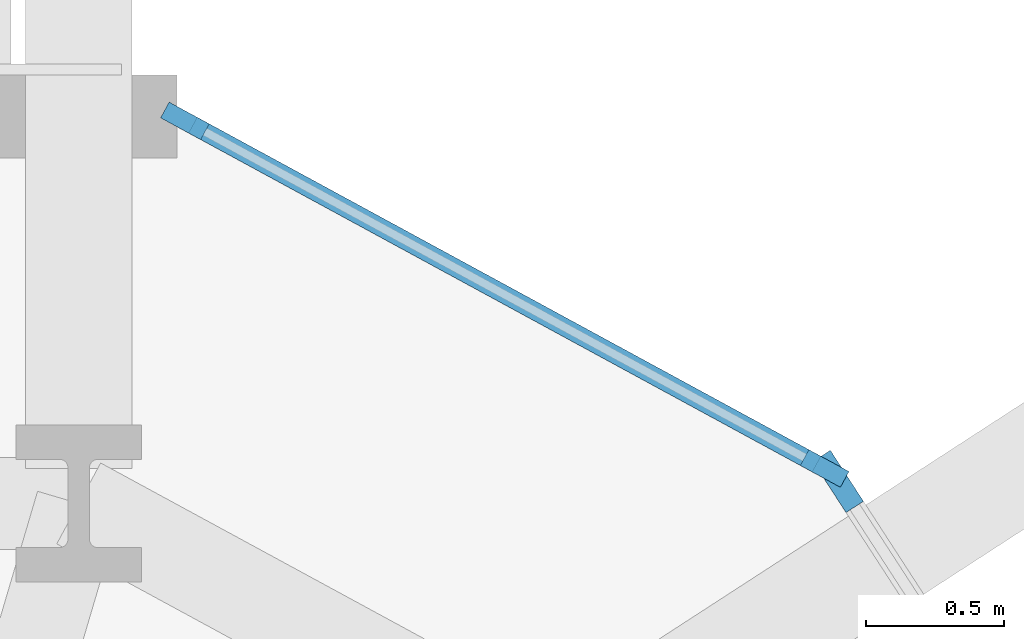
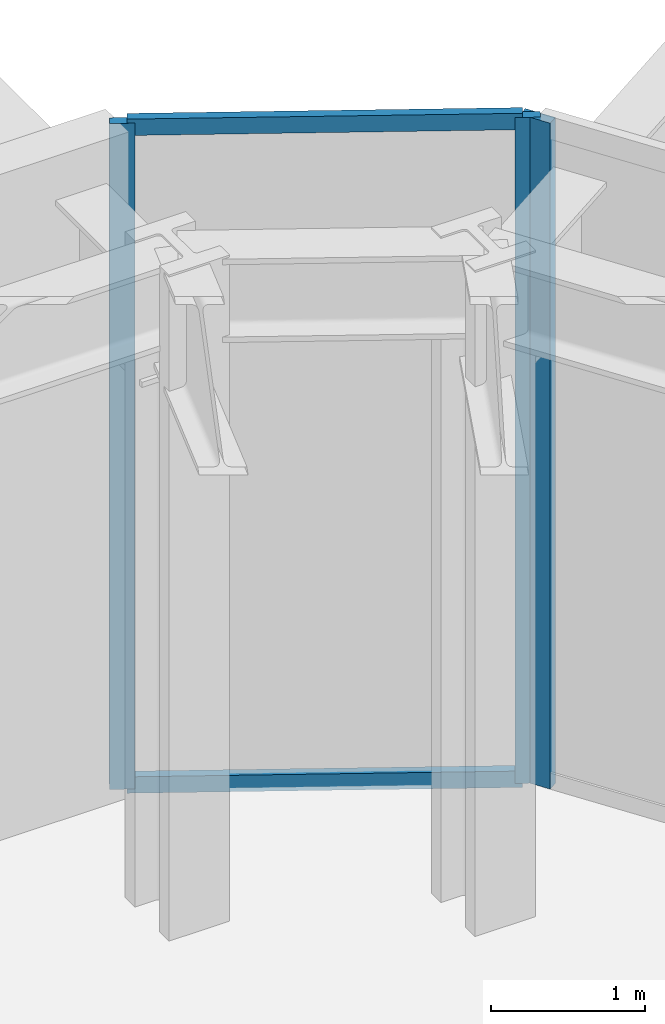
# One storey, part 11 of 23: 5 members, 2 elements without a shape of their own.
"""IFC4 building model written with IfcOpenShell, lengths in metres."""

from ifc_helpers import new_model, si_unit, direction, frame, origin, origin_2d, place, context, subcontext, project, spatial, rectangle, extrude, source, transform, mapped, material, layer, layer_set, material_profile, profile_set, type_object, type_shapes, element, aggregate, save


model = new_model("IFC4")

# Units and contexts
model_context = context("Model", 3, precision=1e-05, world=origin(), true_north=direction((0.0, 1.0)))
body_context = subcontext(model_context, "Body", "Model", "MODEL_VIEW")
ifc_project = project(units=[si_unit("LENGTHUNIT", "METRE"), si_unit("AREAUNIT", "SQUARE_METRE"), si_unit("VOLUMEUNIT", "CUBIC_METRE"), si_unit("PLANEANGLEUNIT", "RADIAN"), si_unit("MASSUNIT", "GRAM", prefix="KILO")], contexts=[model_context])

# Site, building, storey
site_placement = place(None, origin())
site = spatial("IfcSite", under=ifc_project, at=site_placement, CompositionType="ELEMENT")
building_placement = place(site_placement, origin())
building = spatial("IfcBuilding", under=site, at=building_placement, Name="Durnholm Broadcast Tower", CompositionType="ELEMENT")
storey_placement = place(building_placement, frame((0.0, 0.0, 21.199951171875)))
storey = spatial("IfcBuildingStorey", under=building, at=storey_placement, Name="L04", CompositionType="ELEMENT", Elevation=21.199951171875)

# Curtain wall, members
ifc_material_1 = material(Name="Aluminium and Solar Control IGU", Category="aluminium")
ifc_layer_1 = layer(ifc_material_1, 0.1650390625)
ifc_layer_set_1 = layer_set([ifc_layer_1], Name="Aluminium and Solar Control IGU")
curtain_wall_type_1 = type_object("IfcCurtainWallType", Name="CW-SYS-5", PredefinedType="NOTDEFINED", material=ifc_layer_set_1)
curtain_wall_1_placement = place(storey_placement, origin())
curtain_wall_1 = element("IfcCurtainWall", 1, at=curtain_wall_1_placement, inside=storey, type_object=curtain_wall_type_1, Name="L04 curtain wall CW-CORNER CW-L04-CRN-05", PredefinedType="NOTDEFINED")
ifc_material_2 = material(Name="Aluminium 6063-T6", Category="aluminium")
ifc_material_profile_1 = material_profile(ifc_material_2, rectangle(XDim=0.06494140625, YDim=0.1298828125, at=origin_2d()), Name="CWT65X130")
ifc_profile_set_1 = profile_set([ifc_material_profile_1], Name="Aluminium 6063-T6")
member_type_1 = type_object("IfcMemberType", Name="CW-SYS-5-TRN", PredefinedType="USERDEFINED", material=ifc_profile_set_1)
shared_shape_1 = source(origin(), body_context, "Body", "SweptSolid", [
    extrude(rectangle(XDim=0.06494140625, YDim=0.1298828125, at=origin_2d()), origin(), (0.0, 0.0, 1.0), 2.56982421875),
])
type_shapes(member_type_1, [shared_shape_1])
member_1_placement = place(storey_placement, frame((14.5322265625, 23.76904296875, 0.032470703125), z_axis=(0.878649635893, -0.47746708509, 0.0), x_axis=(0.47746708509, 0.878649635893, 0.0)))
member_1 = element("IfcMember", 2, at=member_1_placement, type_object=member_type_1, Name="CW-CORNER transom 1.1", ObjectType="TRANSOM", PredefinedType="USERDEFINED", context=body_context, shape_type="MappedRepresentation", body=[
    mapped(shared_shape_1, transform((0.0, 0.0, 0.0), x_axis=(1.0, 0.0, 0.0), y_axis=(0.0, 1.0, 0.0), z_axis=(0.0, 0.0, 1.0), scale=1.0)),
])
member_2_placement = place(storey_placement, frame((14.5322265625, 23.76904296875, 5.24755859375), z_axis=(0.878649635893, -0.47746708509, 0.0), x_axis=(0.47746708509, 0.878649635893, 0.0)))
member_2 = element("IfcMember", 3, at=member_2_placement, type_object=member_type_1, Name="CW-CORNER transom 1.2", ObjectType="TRANSOM", PredefinedType="USERDEFINED", context=body_context, shape_type="MappedRepresentation", body=[
    mapped(shared_shape_1, transform((0.0, 0.0, 0.0), x_axis=(1.0, 0.0, 0.0), y_axis=(0.0, 1.0, 0.0), z_axis=(0.0, 0.0, 1.0), scale=1.0)),
])
ifc_material_profile_2 = material_profile(ifc_material_2, rectangle(XDim=0.06494140625, YDim=0.1650390625, at=origin_2d()), Name="CWM65X165")
ifc_profile_set_2 = profile_set([ifc_material_profile_2], Name="Aluminium 6063-T6")
member_type_2 = type_object("IfcMemberType", Name="CW-SYS-5-MUL", PredefinedType="MULLION", material=ifc_profile_set_2)
shared_shape_2 = source(origin(), body_context, "Body", "SweptSolid", [
    extrude(rectangle(XDim=0.06494140625, YDim=0.1650390625, at=origin_2d()), origin(), (0.0, 0.0, 1.0), 5.280029296875),
])
type_shapes(member_type_2, [shared_shape_2])
member_3_placement = place(storey_placement, frame((14.503662109375, 23.784423828125, 0.0), z_axis=(0.0, 0.0, 1.0), x_axis=(0.477442460995, 0.878663016429, 0.0)))
member_3 = element("IfcMember", 4, at=member_3_placement, type_object=member_type_2, Name="CW-CORNER mullion 1", PredefinedType="MULLION", context=body_context, shape_type="MappedRepresentation", body=[
    mapped(shared_shape_2, transform((0.0, 0.0, 0.0), x_axis=(1.0, 0.0, 0.0), y_axis=(0.0, 1.0, 0.0), z_axis=(0.0, 0.0, 1.0), scale=1.0)),
])
member_4_placement = place(storey_placement, frame((16.81884765625, 22.5263671875, 0.0), z_axis=(0.0, 0.0, 1.0), x_axis=(0.477442460995, 0.878663016429, 0.0)))
member_4 = element("IfcMember", 5, at=member_4_placement, type_object=member_type_2, Name="CW-CORNER mullion 2", PredefinedType="MULLION", context=body_context, shape_type="MappedRepresentation", body=[
    mapped(shared_shape_2, transform((0.0, 0.0, 0.0), x_axis=(1.0, 0.0, 0.0), y_axis=(0.0, 1.0, 0.0), z_axis=(0.0, 0.0, 1.0), scale=1.0)),
])
aggregate(curtain_wall_1, [member_3, member_4, member_1, member_2])

# Curtain wall, member
ifc_layer_2 = layer(ifc_material_1, 0.219970703125)
ifc_layer_set_2 = layer_set([ifc_layer_2], Name="Aluminium and Solar Control IGU")
curtain_wall_type_2 = type_object("IfcCurtainWallType", Name="CW-SYS-2", PredefinedType="NOTDEFINED", material=ifc_layer_set_2)
curtain_wall_2_placement = place(storey_placement, origin())
curtain_wall_2 = element("IfcCurtainWall", 6, at=curtain_wall_2_placement, inside=storey, type_object=curtain_wall_type_2, Name="L04 curtain wall CW-STUDIO CW-L04-F06", PredefinedType="NOTDEFINED")
ifc_material_profile_3 = material_profile(ifc_material_2, rectangle(XDim=0.074951171875, YDim=0.219970703125, at=origin_2d()), Name="CWM75X220")
ifc_profile_set_3 = profile_set([ifc_material_profile_3], Name="Aluminium 6063-T6")
member_type_3 = type_object("IfcMemberType", Name="CW-SYS-2-MUL", PredefinedType="MULLION", material=ifc_profile_set_3)
shared_shape_3 = source(origin(), body_context, "Body", "SweptSolid", [
    extrude(rectangle(XDim=0.074951171875, YDim=0.219970703125, at=origin_2d()), origin(), (0.0, 0.0, 1.0), 5.280029296875),
])
type_shapes(member_type_3, [shared_shape_3])
member_5_placement = place(storey_placement, frame((16.867919921875, 22.4794921875, 0.0), z_axis=(0.0, 0.0, 1.0), x_axis=(0.839009373297, 0.544116964926, 0.0)))
member_5 = element("IfcMember", 7, at=member_5_placement, type_object=member_type_3, Name="CW-STUDIO mullion 1", PredefinedType="MULLION", context=body_context, shape_type="MappedRepresentation", body=[
    mapped(shared_shape_3, transform((0.0, 0.0, 0.0), x_axis=(1.0, 0.0, 0.0), y_axis=(0.0, 1.0, 0.0), z_axis=(0.0, 0.0, 1.0), scale=1.0)),
])
aggregate(curtain_wall_2, [member_5])

save(model, "model.ifc")
